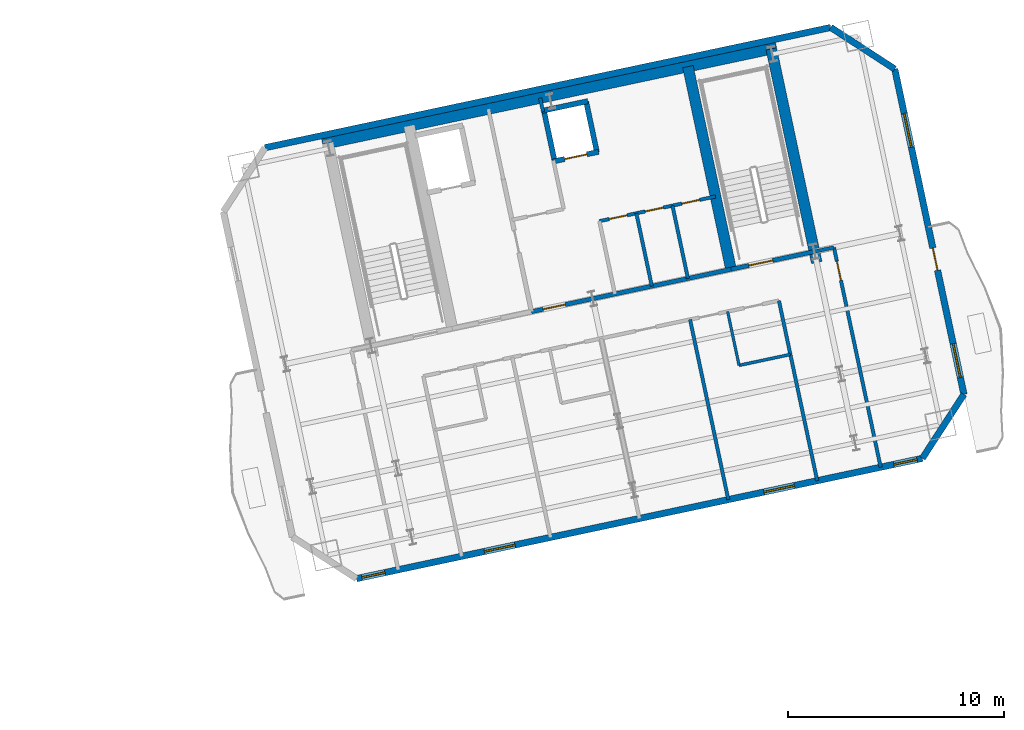
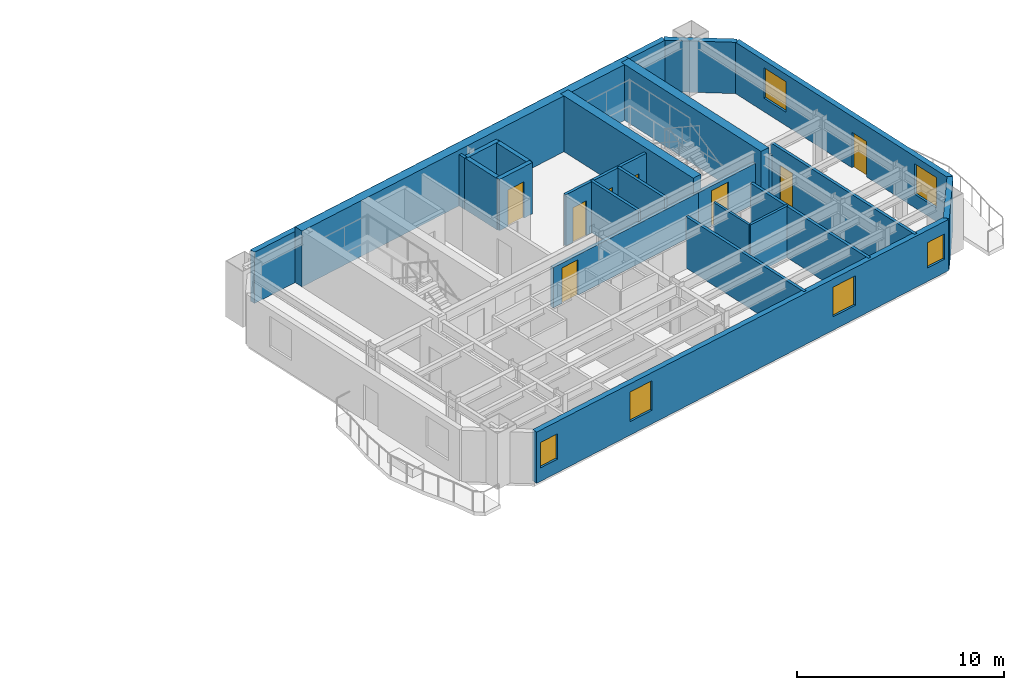
# One storey, part 8 of 13: 24 walls, 8 doors, 6 windows, 14 openings.
"""IFC4 building model written with IfcOpenShell, lengths in metres."""

from ifc_helpers import new_model, si_unit, direction, frame, frame_2d, origin, place, context, subcontext, project, spatial, rectangle, extrude, material, layer, layer_set, type_object, element, fill, save


model = new_model("IFC4")

# Units and contexts
model_context = context("Model", 3, precision=1e-05, world=origin(), true_north=direction((0.0, 1.0)))
body_context = subcontext(model_context, "Body", "Model", "MODEL_VIEW")
ifc_project = project(units=[si_unit("LENGTHUNIT", "METRE"), si_unit("AREAUNIT", "SQUARE_METRE"), si_unit("VOLUMEUNIT", "CUBIC_METRE"), si_unit("PLANEANGLEUNIT", "RADIAN"), si_unit("MASSUNIT", "GRAM", prefix="KILO")], contexts=[model_context])

# Site, building, storey
site_placement = place(None, origin())
site = spatial("IfcSite", under=ifc_project, at=site_placement, CompositionType="ELEMENT")
building_placement = place(site_placement, origin())
building = spatial("IfcBuilding", under=site, at=building_placement, Name="Haevon Station Towers", CompositionType="ELEMENT")
storey_placement = place(building_placement, frame((0.0, 0.0, 162.60009765625)))
storey = spatial("IfcBuildingStorey", under=building, at=storey_placement, Name="L44", CompositionType="ELEMENT", Elevation=162.60009765625)

# Wall, opening, door
ifc_material_1 = material(Name="Gypsum board on steel stud", Category="steel")
ifc_layer_1 = layer(ifc_material_1, 0.199951171875)
ifc_layer_set_1 = layer_set([ifc_layer_1], Name="Gypsum board on steel stud")
wall_type_1 = type_object("IfcWallType", Name="WL-COR200", PredefinedType="PARTITIONING", material=ifc_layer_set_1)
wall_1_placement = place(storey_placement, frame((115.4296875, 40.9873046875, 0.0), z_axis=(0.0, 0.0, 1.0), x_axis=(0.978146596989, 0.207916413008, 0.0)))
wall_1 = element("IfcWall", 1, at=wall_1_placement, inside=storey, type_object=wall_type_1, Name="WL-ST-ST4-L44", PredefinedType="PARTITIONING", context=body_context, shape_type="SweptSolid", body=[
    extrude(rectangle(XDim=3.9501953125, YDim=0.199951171875, at=frame_2d((1.97509765625, 0.0))), origin(), (0.0, 0.0, 1.0), 2.3798828125),
])
opening_1_placement = place(wall_1_placement, frame((0.85009765625, 0.0, 0.0)))
opening_1 = element("IfcOpeningElement", 2, at=opening_1_placement, cuts=wall_1, Name="Opening DR-ST-ST4-L44", PredefinedType="OPENING", context=body_context, shape_type="SweptSolid", body=[
    extrude(rectangle(XDim=1.1201171875, YDim=2.10009765625, at=frame_2d((0.56005859375, 1.050048828125))), frame((0.0, 0.10986328125, 0.0), z_axis=(0.0, -1.0, 0.0), x_axis=(1.0, 0.0, 0.0)), (0.0, 0.0, 1.0), 0.219970703125),
])
ifc_material_2 = material(Name="Engineered oak timber", Category="wood")
door_type_1 = type_object("IfcDoorType", Name="DR-ST-1120", OperationType="NOTDEFINED", PredefinedType="DOOR", material=ifc_material_2)
door_1_placement = place(opening_1_placement, origin())
door_1 = element("IfcDoor", 3, at=door_1_placement, inside=storey, type_object=door_type_1, Name="L44 Escape Stair ST4 Fire Door", OperationType="SINGLE_SWING_LEFT", OverallHeight=2.10009765625, OverallWidth=1.1201171875, PredefinedType="DOOR", context=body_context, shape_type="SweptSolid", body=[
    extrude(rectangle(XDim=1.1201171875, YDim=2.10009765625, at=frame_2d((0.56005859375, 1.050048828125))), frame((0.0, 0.02490234375, 0.0), z_axis=(0.0, -1.0, 0.0), x_axis=(1.0, 0.0, 0.0)), (0.0, 0.0, 1.0), 0.050048828125),
])
fill(opening_1, door_1)

wall_2_placement = place(storey_placement, frame((106.186279296875, 39.0224609375, 0.0), z_axis=(0.0, 0.0, 1.0), x_axis=(0.978145519981, 0.20792147975, 0.0)))
wall_2 = element("IfcWall", 4, at=wall_2_placement, inside=storey, type_object=wall_type_1, Name="WL-T2CLB-L44", PredefinedType="PARTITIONING", context=body_context, shape_type="SweptSolid", body=[
    extrude(rectangle(XDim=9.449951171875, YDim=0.199951171875, at=frame_2d((4.72509765625, 0.0))), origin(), (0.0, 0.0, 1.0), 2.3798828125),
])
opening_2_placement = place(wall_2_placement, frame((0.550048828125, 0.0, 0.0)))
opening_2 = element("IfcOpeningElement", 5, at=opening_2_placement, cuts=wall_2, Name="Opening DR-T2CLB-L44-1", PredefinedType="OPENING", context=body_context, shape_type="SweptSolid", body=[
    extrude(rectangle(XDim=1.050048828125, YDim=2.10009765625, at=frame_2d((0.52490234375, 1.050048828125))), frame((0.0, 0.10986328125, 0.0), z_axis=(0.0, -1.0, 0.0), x_axis=(1.0, 0.0, 0.0)), (0.0, 0.0, 1.0), 0.219970703125),
])
door_type_2 = type_object("IfcDoorType", Name="DR-FD60-1050", OperationType="NOTDEFINED", PredefinedType="DOOR", material=ifc_material_2)
door_2_placement = place(opening_2_placement, origin())
door_2 = element("IfcDoor", 6, at=door_2_placement, inside=storey, type_object=door_type_2, Name="L44 Tower 2 Core Lift Lobby Door 1", OperationType="SINGLE_SWING_RIGHT", OverallHeight=2.10009765625, OverallWidth=1.050048828125, PredefinedType="DOOR", context=body_context, shape_type="SweptSolid", body=[
    extrude(rectangle(XDim=1.050048828125, YDim=2.10009765625, at=frame_2d((0.52490234375, 1.050048828125))), frame((0.0, 0.02490234375, 0.0), z_axis=(0.0, -1.0, 0.0), x_axis=(1.0, 0.0, 0.0)), (0.0, 0.0, 1.0), 0.050048828125),
])
fill(opening_2, door_2)

# Walls
ifc_material_3 = material(Name="Concrete C60/75", Category="concrete")
ifc_layer_2 = layer(ifc_material_3, 0.5)
ifc_layer_set_2 = layer_set([ifc_layer_2], Name="Concrete C60/75")
wall_type_2 = type_object("IfcWallType", Name="WL-CR500", PredefinedType="SHEAR", material=ifc_layer_set_2)
wall_3_placement = place(storey_placement, frame((96.511962890625, 46.78076171875, 0.0), z_axis=(0.0, 0.0, 1.0), x_axis=(0.978148546782, 0.207907239961, 0.0)))
element("IfcWall", 7, at=wall_3_placement, inside=storey, type_object=wall_type_2, Name="WL-T2CR-L44-N", PredefinedType="SHEAR", context=body_context, shape_type="SweptSolid", body=[
    extrude(rectangle(XDim=21.499755859375, YDim=0.5, at=frame_2d((10.75, 0.0))), origin(), (0.0, 0.0, 1.0), 3.2998046875),
])
wall_4_placement = place(storey_placement, frame((119.401611328125, 41.2998046875, 0.0), z_axis=(0.0, 0.0, 1.0), x_axis=(-0.207904342798, 0.978149162575, 0.0)))
element("IfcWall", 8, at=wall_4_placement, inside=storey, type_object=wall_type_2, Name="WL-T2CR-L44-E", PredefinedType="SHEAR", context=body_context, shape_type="SweptSolid", body=[
    extrude(rectangle(XDim=10.1201171875, YDim=0.5, at=frame_2d((5.06005859375, 0.0))), origin(), (0.0, 0.0, 1.0), 3.2998046875),
])
wall_5_placement = place(storey_placement, frame((115.4296875, 40.9873046875, 0.0), z_axis=(0.0, 0.0, 1.0), x_axis=(-0.207903162969, 0.978149413345, 0.0)))
element("IfcWall", 9, at=wall_5_placement, inside=storey, type_object=wall_type_2, Name="WL-T2CR-L44-M2", PredefinedType="SHEAR", context=body_context, shape_type="SweptSolid", body=[
    extrude(rectangle(XDim=9.599853515625, YDim=0.5, at=frame_2d((4.7998046875, 0.0))), origin(), (0.0, 0.0, 1.0), 3.2998046875),
])

# Wall, openings, windows
ifc_material_4 = material(Name="Precast concrete C45/55", Category="concrete")
ifc_layer_3 = layer(ifc_material_4, 0.300048828125)
ifc_layer_set_3 = layer_set([ifc_layer_3], Name="Precast concrete C45/55")
wall_type_3 = type_object("IfcWallType", Name="WL-EXT-PIER300", PredefinedType="SOLIDWALL", material=ifc_layer_set_3)
wall_6_placement = place(storey_placement, frame((124.29443359375, 32.22900390625, 0.0), z_axis=(0.0, 0.0, 1.0), x_axis=(-0.978147690128, -0.20791127025, 0.0)))
wall_6 = element("IfcWall", 10, at=wall_6_placement, inside=storey, type_object=wall_type_3, Name="WL-T2-L44-S", PredefinedType="SOLIDWALL", context=body_context, shape_type="SweptSolid", body=[
    extrude(rectangle(XDim=26.800048828125, YDim=0.300048828125, at=frame_2d((13.39990234375, 0.0))), origin(), (0.0, 0.0, 1.0), 3.02978515625),
])
opening_3_placement = place(wall_6_placement, frame((25.449951171875, 0.0, 0.800048828125)))
opening_3 = element("IfcOpeningElement", 11, at=opening_3_placement, cuts=wall_6, Name="Opening WN-COR110", PredefinedType="OPENING", context=body_context, shape_type="SweptSolid", body=[
    extrude(rectangle(XDim=1.10009765625, YDim=1.5, at=frame_2d((0.550048828125, 0.75))), frame((0.0, 0.159912109375, 0.0), z_axis=(0.0, -1.0, 0.0), x_axis=(1.0, 0.0, 0.0)), (0.0, 0.0, 1.0), 0.320068359375),
])
opening_4_placement = place(wall_6_placement, frame((0.25, 0.0, 0.800048828125)))
opening_4 = element("IfcOpeningElement", 12, at=opening_4_placement, cuts=wall_6, Name="Opening WN-COR110", PredefinedType="OPENING", context=body_context, shape_type="SweptSolid", body=[
    extrude(rectangle(XDim=1.10009765625, YDim=1.5, at=frame_2d((0.550048828125, 0.75))), frame((0.0, 0.159912109375, 0.0), z_axis=(0.0, -1.0, 0.0), x_axis=(1.0, 0.0, 0.0)), (0.0, 0.0, 1.0), 0.320068359375),
])
opening_5_placement = place(wall_6_placement, frame((19.2900390625, 0.0, 0.800048828125)))
opening_5 = element("IfcOpeningElement", 13, at=opening_5_placement, cuts=wall_6, Name="Opening WN-P145", PredefinedType="OPENING", context=body_context, shape_type="SweptSolid", body=[
    extrude(rectangle(XDim=1.449951171875, YDim=1.75, at=frame_2d((0.72509765625, 0.875))), frame((0.0, 0.159912109375, 0.0), z_axis=(0.0, -1.0, 0.0), x_axis=(1.0, 0.0, 0.0)), (0.0, 0.0, 1.0), 0.320068359375),
])
opening_6_placement = place(wall_6_placement, frame((6.06005859375, 0.0, 0.800048828125)))
opening_6 = element("IfcOpeningElement", 14, at=opening_6_placement, cuts=wall_6, Name="Opening WN-P145", PredefinedType="OPENING", context=body_context, shape_type="SweptSolid", body=[
    extrude(rectangle(XDim=1.449951171875, YDim=1.75, at=frame_2d((0.72509765625, 0.875))), frame((0.0, 0.159912109375, 0.0), z_axis=(0.0, -1.0, 0.0), x_axis=(1.0, 0.0, 0.0)), (0.0, 0.0, 1.0), 0.320068359375),
])
ifc_material_5 = material(Name="Low-E triple glazing in thermally broken aluminium", Category="aluminium")
window_type_1 = type_object("IfcWindowType", Name="WN-COR110", PartitioningType="SINGLE_PANEL", PredefinedType="WINDOW", material=ifc_material_5)
window_1_placement = place(opening_3_placement, origin())
window_1 = element("IfcWindow", 15, at=window_1_placement, inside=storey, type_object=window_type_1, Name="WN-T2-L44-S01", OverallHeight=1.5, OverallWidth=1.10009765625, PartitioningType="SINGLE_PANEL", PredefinedType="WINDOW", context=body_context, shape_type="SweptSolid", body=[
    extrude(rectangle(XDim=1.10009765625, YDim=1.5, at=frame_2d((0.550048828125, 0.75))), frame((0.0, 0.030029296875, 0.0), z_axis=(0.0, -1.0, 0.0), x_axis=(1.0, 0.0, 0.0)), (0.0, 0.0, 1.0), 0.06005859375),
])
fill(opening_3, window_1)
window_2_placement = place(opening_4_placement, origin())
window_2 = element("IfcWindow", 16, at=window_2_placement, inside=storey, type_object=window_type_1, Name="WN-T2-L44-S02", OverallHeight=1.5, OverallWidth=1.10009765625, PartitioningType="SINGLE_PANEL", PredefinedType="WINDOW", context=body_context, shape_type="SweptSolid", body=[
    extrude(rectangle(XDim=1.10009765625, YDim=1.5, at=frame_2d((0.550048828125, 0.75))), frame((0.0, 0.030029296875, 0.0), z_axis=(0.0, -1.0, 0.0), x_axis=(1.0, 0.0, 0.0)), (0.0, 0.0, 1.0), 0.06005859375),
])
fill(opening_4, window_2)
window_type_2 = type_object("IfcWindowType", Name="WN-P145", PartitioningType="SINGLE_PANEL", PredefinedType="WINDOW", material=ifc_material_5)
window_3_placement = place(opening_5_placement, origin())
window_3 = element("IfcWindow", 17, at=window_3_placement, inside=storey, type_object=window_type_2, Name="WN-T2-L44-S03", OverallHeight=1.75, OverallWidth=1.449951171875, PartitioningType="SINGLE_PANEL", PredefinedType="WINDOW", context=body_context, shape_type="SweptSolid", body=[
    extrude(rectangle(XDim=1.449951171875, YDim=1.75, at=frame_2d((0.72509765625, 0.875))), frame((0.0, 0.030029296875, 0.0), z_axis=(0.0, -1.0, 0.0), x_axis=(1.0, 0.0, 0.0)), (0.0, 0.0, 1.0), 0.06005859375),
])
fill(opening_5, window_3)
window_4_placement = place(opening_6_placement, origin())
window_4 = element("IfcWindow", 18, at=window_4_placement, inside=storey, type_object=window_type_2, Name="WN-T2-L44-S04", OverallHeight=1.75, OverallWidth=1.449951171875, PartitioningType="SINGLE_PANEL", PredefinedType="WINDOW", context=body_context, shape_type="SweptSolid", body=[
    extrude(rectangle(XDim=1.449951171875, YDim=1.75, at=frame_2d((0.72509765625, 0.875))), frame((0.0, 0.030029296875, 0.0), z_axis=(0.0, -1.0, 0.0), x_axis=(1.0, 0.0, 0.0)), (0.0, 0.0, 1.0), 0.06005859375),
])
fill(opening_6, window_4)

# Walls
wall_7_placement = place(storey_placement, frame((93.836669921875, 46.620849609375, 0.0), z_axis=(0.0, 0.0, 1.0), x_axis=(0.978147690128, 0.20791127025, 0.0)))
element("IfcWall", 19, at=wall_7_placement, inside=storey, type_object=wall_type_3, Name="WL-T2-L44-N", PredefinedType="SOLIDWALL", context=body_context, shape_type="SweptSolid", body=[
    extrude(rectangle(XDim=26.800048828125, YDim=0.300048828125, at=frame_2d((13.39990234375, 0.0))), origin(), (0.0, 0.0, 1.0), 3.02978515625),
])
wall_8_placement = place(storey_placement, frame((120.051025390625, 52.19287109375, 0.0), z_axis=(0.0, 0.0, 1.0), x_axis=(0.838672309694, -0.544636352948, 0.0)))
element("IfcWall", 20, at=wall_8_placement, inside=storey, type_object=wall_type_3, Name="WL-T2-L44-NEC", PredefinedType="SOLIDWALL", context=body_context, shape_type="SweptSolid", body=[
    extrude(rectangle(XDim=3.535400390625, YDim=0.300048828125, at=frame_2d((1.767578125, 0.0))), origin(), (0.0, 0.0, 1.0), 3.02978515625),
])

# Wall, openings, door, windows
wall_9_placement = place(storey_placement, frame((123.01611328125, 50.267333984375, 0.0), z_axis=(0.0, 0.0, 1.0), x_axis=(0.207908020757, -0.978148380822, 0.0)))
wall_9 = element("IfcWall", 21, at=wall_9_placement, inside=storey, type_object=wall_type_3, Name="WL-T2-L44-E", PredefinedType="SOLIDWALL", context=body_context, shape_type="SweptSolid", body=[
    extrude(rectangle(XDim=15.409912109375, YDim=0.300048828125, at=frame_2d((7.705078125, 0.0))), origin(), (0.0, 0.0, 1.0), 3.02978515625),
])
opening_7_placement = place(wall_9_placement, frame((8.47998046875, 0.0, 0.0)))
opening_7 = element("IfcOpeningElement", 22, at=opening_7_placement, cuts=wall_9, Name="Opening DR-T2-SCAL-L44-E", PredefinedType="OPENING", context=body_context, shape_type="SweptSolid", body=[
    extrude(rectangle(XDim=1.050048828125, YDim=2.10009765625, at=frame_2d((0.52490234375, 1.050048828125))), frame((0.0, 0.159912109375, 0.0), z_axis=(0.0, -1.0, 0.0), x_axis=(1.0, 0.0, 0.0)), (0.0, 0.0, 1.0), 0.320068359375),
])
opening_8_placement = place(wall_9_placement, frame((2.108154296875, 0.0, 0.800048828125)))
opening_8 = element("IfcOpeningElement", 23, at=opening_8_placement, cuts=wall_9, Name="Opening WN-END160", PredefinedType="OPENING", context=body_context, shape_type="SweptSolid", body=[
    extrude(rectangle(XDim=1.60009765625, YDim=1.800048828125, at=frame_2d((0.800048828125, 0.89990234375))), frame((0.0, 0.159912109375, 0.0), z_axis=(0.0, -1.0, 0.0), x_axis=(1.0, 0.0, 0.0)), (0.0, 0.0, 1.0), 0.320068359375),
])
opening_9_placement = place(wall_9_placement, frame((13.010009765625, 0.0, 0.800048828125)))
opening_9 = element("IfcOpeningElement", 24, at=opening_9_placement, cuts=wall_9, Name="Opening WN-END160", PredefinedType="OPENING", context=body_context, shape_type="SweptSolid", body=[
    extrude(rectangle(XDim=1.60009765625, YDim=1.800048828125, at=frame_2d((0.800048828125, 0.89990234375))), frame((0.0, 0.159912109375, 0.0), z_axis=(0.0, -1.0, 0.0), x_axis=(1.0, 0.0, 0.0)), (0.0, 0.0, 1.0), 0.320068359375),
])
ifc_material_6 = material(Name="Thermally broken anodised aluminium and laminated safety glass", Category="aluminium")
door_type_3 = type_object("IfcDoorType", Name="DR-BALC-1050", OperationType="NOTDEFINED", PredefinedType="DOOR", material=ifc_material_6)
door_3_placement = place(opening_7_placement, origin())
door_3 = element("IfcDoor", 25, at=door_3_placement, inside=storey, type_object=door_type_3, Name="Tower 2 L44 East Scalloped Balcony Door", OperationType="SINGLE_SWING_RIGHT", OverallHeight=2.10009765625, OverallWidth=1.050048828125, PredefinedType="DOOR", context=body_context, shape_type="SweptSolid", body=[
    extrude(rectangle(XDim=1.050048828125, YDim=2.10009765625, at=frame_2d((0.52490234375, 1.050048828125))), frame((0.0, 0.02490234375, 0.0), z_axis=(0.0, -1.0, 0.0), x_axis=(1.0, 0.0, 0.0)), (0.0, 0.0, 1.0), 0.050048828125),
])
fill(opening_7, door_3)
window_type_3 = type_object("IfcWindowType", Name="WN-END160", PartitioningType="SINGLE_PANEL", PredefinedType="WINDOW", material=ifc_material_5)
window_5_placement = place(opening_8_placement, origin())
window_5 = element("IfcWindow", 26, at=window_5_placement, inside=storey, type_object=window_type_3, Name="WN-T2-L44-E01", OverallHeight=1.800048828125, OverallWidth=1.60009765625, PartitioningType="SINGLE_PANEL", PredefinedType="WINDOW", context=body_context, shape_type="SweptSolid", body=[
    extrude(rectangle(XDim=1.60009765625, YDim=1.800048828125, at=frame_2d((0.800048828125, 0.89990234375))), frame((0.0, 0.030029296875, 0.0), z_axis=(0.0, -1.0, 0.0), x_axis=(1.0, 0.0, 0.0)), (0.0, 0.0, 1.0), 0.06005859375),
])
fill(opening_8, window_5)
window_6_placement = place(opening_9_placement, origin())
window_6 = element("IfcWindow", 27, at=window_6_placement, inside=storey, type_object=window_type_3, Name="WN-T2-L44-E02", OverallHeight=1.800048828125, OverallWidth=1.60009765625, PartitioningType="SINGLE_PANEL", PredefinedType="WINDOW", context=body_context, shape_type="SweptSolid", body=[
    extrude(rectangle(XDim=1.60009765625, YDim=1.800048828125, at=frame_2d((0.800048828125, 0.89990234375))), frame((0.0, 0.030029296875, 0.0), z_axis=(0.0, -1.0, 0.0), x_axis=(1.0, 0.0, 0.0)), (0.0, 0.0, 1.0), 0.06005859375),
])
fill(opening_9, window_6)

# Walls
wall_10_placement = place(storey_placement, frame((126.219970703125, 35.194091796875, 0.0), z_axis=(0.0, 0.0, 1.0), x_axis=(-0.544636352948, -0.838672309694, 0.0)))
element("IfcWall", 28, at=wall_10_placement, inside=storey, type_object=wall_type_3, Name="WL-T2-L44-SEC", PredefinedType="SOLIDWALL", context=body_context, shape_type="SweptSolid", body=[
    extrude(rectangle(XDim=3.535400390625, YDim=0.300048828125, at=frame_2d((1.767578125, 0.0))), origin(), (0.0, 0.0, 1.0), 3.02978515625),
])
ifc_layer_4 = layer(ifc_material_1, 0.125)
ifc_layer_set_4 = layer_set([ifc_layer_4], Name="Gypsum board on steel stud")
wall_type_4 = type_object("IfcWallType", Name="WL-PRT125", PredefinedType="PARTITIONING", material=ifc_layer_set_4)
wall_11_placement = place(storey_placement, frame((115.802978515625, 36.53759765625, 0.0), z_axis=(0.0, 0.0, 1.0), x_axis=(-0.207848450565, 0.978161040728, 0.0)))
element("IfcWall", 29, at=wall_11_placement, inside=storey, type_object=wall_type_4, Name="WL-T2PT-L44-15", PredefinedType="PARTITIONING", context=body_context, shape_type="SweptSolid", body=[
    extrude(rectangle(XDim=2.550048828125, YDim=0.125, at=frame_2d((1.27490234375, 0.0))), origin(), (0.0, 0.0, 1.0), 3.02978515625),
])
ifc_layer_5 = layer(ifc_material_1, 0.139892578125)
ifc_layer_set_5 = layer_set([ifc_layer_5], Name="Gypsum board on steel stud")
wall_type_5 = type_object("IfcWallType", Name="WL-PRT140", PredefinedType="PARTITIONING", material=ifc_layer_set_5)
wall_12_placement = place(storey_placement, frame((115.802978515625, 36.53759765625, 0.0), z_axis=(0.0, 0.0, 1.0), x_axis=(0.978136375918, 0.207964492415, 0.0)))
element("IfcWall", 30, at=wall_12_placement, inside=storey, type_object=wall_type_5, Name="WL-T2PT-L44-14", PredefinedType="PARTITIONING", context=body_context, shape_type="SweptSolid", body=[
    extrude(rectangle(XDim=2.43017578125, YDim=0.139892578125, at=frame_2d((1.215087890625, 0.0))), origin(), (0.0, 0.0, 1.0), 3.02978515625),
])
ifc_layer_6 = layer(ifc_material_1, 0.159912109375)
ifc_layer_set_6 = layer_set([ifc_layer_6], Name="Gypsum board on steel stud")
wall_type_6 = type_object("IfcWallType", Name="WL-PRT160", PredefinedType="PARTITIONING", material=ifc_layer_set_6)
wall_13_placement = place(storey_placement, frame((106.721923828125, 48.286376953125, 0.0), z_axis=(0.0, 0.0, 1.0), x_axis=(-0.208092352933, 0.978109182377, 0.0)))
element("IfcWall", 31, at=wall_13_placement, inside=storey, type_object=wall_type_6, Name="WL-T2CW-L44-04", PredefinedType="PARTITIONING", context=body_context, shape_type="SweptSolid", body=[
    extrude(rectangle(XDim=0.64990234375, YDim=0.159912109375, at=frame_2d((0.324951171875, 0.0))), origin(), (0.0, 0.0, 1.0), 3.02978515625),
])
wall_14_placement = place(storey_placement, frame((111.76171875, 40.20751953125, 0.0), z_axis=(0.0, 0.0, 1.0), x_axis=(-0.207900225061, 0.978150037785, 0.0)))
element("IfcWall", 32, at=wall_14_placement, inside=storey, type_object=wall_type_6, Name="WL-T2CW-L44-06", PredefinedType="PARTITIONING", context=body_context, shape_type="SweptSolid", body=[
    extrude(rectangle(XDim=3.4501953125, YDim=0.159912109375, at=frame_2d((1.72509765625, 0.0))), origin(), (0.0, 0.0, 1.0), 3.02978515625),
])
wall_15_placement = place(storey_placement, frame((113.434326171875, 40.563232421875, 0.0), z_axis=(0.0, 0.0, 1.0), x_axis=(-0.207914616127, 0.978146978935, 0.0)))
element("IfcWall", 33, at=wall_15_placement, inside=storey, type_object=wall_type_6, Name="WL-T2CW-L44-07", PredefinedType="PARTITIONING", context=body_context, shape_type="SweptSolid", body=[
    extrude(rectangle(XDim=3.449951171875, YDim=0.159912109375, at=frame_2d((1.72509765625, 0.0))), origin(), (0.0, 0.0, 1.0), 3.02978515625),
])

# Wall, openings, doors
wall_16_placement = place(storey_placement, frame((109.332763671875, 43.218505859375, 0.0), z_axis=(0.0, 0.0, 1.0), x_axis=(0.978153773776, 0.207882646816, 0.0)))
wall_16 = element("IfcWall", 34, at=wall_16_placement, inside=storey, type_object=wall_type_6, Name="WL-T2CW-L44-08", PredefinedType="PARTITIONING", context=body_context, shape_type="SweptSolid", body=[
    extrude(rectangle(XDim=5.499755859375, YDim=0.159912109375, at=frame_2d((2.75, 0.0))), origin(), (0.0, 0.0, 1.0), 3.02978515625),
])
opening_10_placement = place(wall_16_placement, frame((0.469970703125, 0.0, 0.0)))
opening_10 = element("IfcOpeningElement", 35, at=opening_10_placement, cuts=wall_16, Name="Opening DR-WL-T2CW-L44-08-1", PredefinedType="OPENING", context=body_context, shape_type="SweptSolid", body=[
    extrude(rectangle(XDim=0.85009765625, YDim=2.050048828125, at=frame_2d((0.425048828125, 1.02490234375))), frame((0.0, 0.08984375, 0.0), z_axis=(0.0, -1.0, 0.0), x_axis=(1.0, 0.0, 0.0)), (0.0, 0.0, 1.0), 0.179931640625),
])
opening_11_placement = place(wall_16_placement, frame((2.179931640625, 0.0, 0.0)))
opening_11 = element("IfcOpeningElement", 36, at=opening_11_placement, cuts=wall_16, Name="Opening DR-WL-T2CW-L44-08-2", PredefinedType="OPENING", context=body_context, shape_type="SweptSolid", body=[
    extrude(rectangle(XDim=0.85009765625, YDim=2.050048828125, at=frame_2d((0.425048828125, 1.02490234375))), frame((0.0, 0.08984375, 0.0), z_axis=(0.0, -1.0, 0.0), x_axis=(1.0, 0.0, 0.0)), (0.0, 0.0, 1.0), 0.179931640625),
])
opening_12_placement = place(wall_16_placement, frame((3.89501953125, 0.0, 0.0)))
opening_12 = element("IfcOpeningElement", 37, at=opening_12_placement, cuts=wall_16, Name="Opening DR-WL-T2CW-L44-08-3", PredefinedType="OPENING", context=body_context, shape_type="SweptSolid", body=[
    extrude(rectangle(XDim=0.85009765625, YDim=2.050048828125, at=frame_2d((0.425048828125, 1.02490234375))), frame((0.0, 0.08984375, 0.0), z_axis=(0.0, -1.0, 0.0), x_axis=(1.0, 0.0, 0.0)), (0.0, 0.0, 1.0), 0.179931640625),
])
door_type_4 = type_object("IfcDoorType", Name="DR-FD30-850", OperationType="NOTDEFINED", PredefinedType="DOOR", material=ifc_material_2)
door_4_placement = place(opening_10_placement, origin())
door_4 = element("IfcDoor", 38, at=door_4_placement, inside=storey, type_object=door_type_4, Name="L44 Tower 2 Core Room Door 8-1", OperationType="SINGLE_SWING_LEFT", OverallHeight=2.050048828125, OverallWidth=0.85009765625, PredefinedType="DOOR", context=body_context, shape_type="SweptSolid", body=[
    extrude(rectangle(XDim=0.85009765625, YDim=2.050048828125, at=frame_2d((0.425048828125, 1.02490234375))), frame((0.0, 0.02490234375, 0.0), z_axis=(0.0, -1.0, 0.0), x_axis=(1.0, 0.0, 0.0)), (0.0, 0.0, 1.0), 0.050048828125),
])
fill(opening_10, door_4)
door_5_placement = place(opening_11_placement, origin())
door_5 = element("IfcDoor", 39, at=door_5_placement, inside=storey, type_object=door_type_4, Name="L44 Tower 2 Core Room Door 8-2", OperationType="SINGLE_SWING_RIGHT", OverallHeight=2.050048828125, OverallWidth=0.85009765625, PredefinedType="DOOR", context=body_context, shape_type="SweptSolid", body=[
    extrude(rectangle(XDim=0.85009765625, YDim=2.050048828125, at=frame_2d((0.425048828125, 1.02490234375))), frame((0.0, 0.02490234375, 0.0), z_axis=(0.0, -1.0, 0.0), x_axis=(1.0, 0.0, 0.0)), (0.0, 0.0, 1.0), 0.050048828125),
])
fill(opening_11, door_5)
door_6_placement = place(opening_12_placement, origin())
door_6 = element("IfcDoor", 40, at=door_6_placement, inside=storey, type_object=door_type_4, Name="L44 Tower 2 Core Room Door 8-3", OperationType="SINGLE_SWING_LEFT", OverallHeight=2.050048828125, OverallWidth=0.85009765625, PredefinedType="DOOR", context=body_context, shape_type="SweptSolid", body=[
    extrude(rectangle(XDim=0.85009765625, YDim=2.050048828125, at=frame_2d((0.425048828125, 1.02490234375))), frame((0.0, 0.02490234375, 0.0), z_axis=(0.0, -1.0, 0.0), x_axis=(1.0, 0.0, 0.0)), (0.0, 0.0, 1.0), 0.050048828125),
])
fill(opening_12, door_6)

# Walls
wall_17_placement = place(storey_placement, frame((119.42333984375, 31.193603515625, 0.0), z_axis=(0.0, 0.0, 1.0), x_axis=(-0.207935775423, 0.978142481083, 0.0)))
element("IfcWall", 41, at=wall_17_placement, inside=storey, type_object=wall_type_6, Name="WL-T2PT-L44-02", PredefinedType="PARTITIONING", context=body_context, shape_type="SweptSolid", body=[
    extrude(rectangle(XDim=8.530029296875, YDim=0.159912109375, at=frame_2d((4.26513671875, 0.0))), origin(), (0.0, 0.0, 1.0), 3.02978515625),
])
wall_18_placement = place(storey_placement, frame((119.29345703125, 41.80859375, 0.0), z_axis=(0.0, 0.0, 1.0), x_axis=(0.978133353907, 0.20797870558, 0.0)))
element("IfcWall", 42, at=wall_18_placement, inside=storey, type_object=wall_type_6, Name="WL-T2PT-L44-04", PredefinedType="PARTITIONING", context=body_context, shape_type="SweptSolid", body=[
    extrude(rectangle(XDim=0.925048828125, YDim=0.159912109375, at=frame_2d((0.46240234375, 0.0))), origin(), (0.0, 0.0, 1.0), 2.3798828125),
])

# Wall, opening, door
wall_19_placement = place(storey_placement, frame((122.362548828125, 31.818359375, 0.0), z_axis=(0.0, 0.0, 1.0), x_axis=(-0.207904755642, 0.978149074825, 0.0)))
wall_19 = element("IfcWall", 43, at=wall_19_placement, inside=storey, type_object=wall_type_6, Name="WL-T2PT-L44-06", PredefinedType="PARTITIONING", context=body_context, shape_type="SweptSolid", body=[
    extrude(rectangle(XDim=10.41015625, YDim=0.159912109375, at=frame_2d((5.205078125, 0.0))), origin(), (0.0, 0.0, 1.0), 3.02978515625),
])
opening_13_placement = place(wall_19_placement, frame((8.85009765625, 0.0, 0.0)))
opening_13 = element("IfcOpeningElement", 44, at=opening_13_placement, cuts=wall_19, Name="Opening DR-WL-T2PT-L44-06-01", PredefinedType="OPENING", context=body_context, shape_type="SweptSolid", body=[
    extrude(rectangle(XDim=0.89990234375, YDim=2.050048828125, at=frame_2d((0.449951171875, 1.02490234375))), frame((0.0, 0.08984375, 0.0), z_axis=(0.0, -1.0, 0.0), x_axis=(1.0, 0.0, 0.0)), (0.0, 0.0, 1.0), 0.179931640625),
])
door_type_5 = type_object("IfcDoorType", Name="DR-INT-900", OperationType="NOTDEFINED", PredefinedType="DOOR", material=ifc_material_2)
door_7_placement = place(opening_13_placement, origin())
door_7 = element("IfcDoor", 45, at=door_7_placement, inside=storey, type_object=door_type_5, Name="L44 Tower 2 Room Door 6-1", OperationType="SINGLE_SWING_LEFT", OverallHeight=2.050048828125, OverallWidth=0.89990234375, PredefinedType="DOOR", context=body_context, shape_type="SweptSolid", body=[
    extrude(rectangle(XDim=0.89990234375, YDim=2.050048828125, at=frame_2d((0.449951171875, 1.02490234375))), frame((0.0, 0.02490234375, 0.0), z_axis=(0.0, -1.0, 0.0), x_axis=(1.0, 0.0, 0.0)), (0.0, 0.0, 1.0), 0.050048828125),
])
fill(opening_13, door_7)

# Wall
wall_20_placement = place(storey_placement, frame((115.30517578125, 30.318359375, 0.0), z_axis=(0.0, 0.0, 1.0), x_axis=(-0.207908391118, 0.978148302101, 0.0)))
element("IfcWall", 46, at=wall_20_placement, inside=storey, type_object=wall_type_6, Name="WL-T2PT-L44-13", PredefinedType="PARTITIONING", context=body_context, shape_type="SweptSolid", body=[
    extrude(rectangle(XDim=8.52978515625, YDim=0.159912109375, at=frame_2d((4.264892578125, 0.0))), origin(), (0.0, 0.0, 1.0), 3.02978515625),
])

# Wall, opening, door
ifc_material_7 = material(Name="Concrete C40/50", Category="concrete")
ifc_layer_7 = layer(ifc_material_7, 0.239990234375)
ifc_layer_set_7 = layer_set([ifc_layer_7], Name="Concrete C40/50")
wall_type_7 = type_object("IfcWallType", Name="WL-SHF240", PredefinedType="PARTITIONING", material=ifc_layer_set_7)
wall_21_placement = place(storey_placement, frame((107.18115234375, 45.9814453125, 0.0), z_axis=(0.0, 0.0, 1.0), x_axis=(0.97813528961, 0.207969601673, 0.0)))
wall_21 = element("IfcWall", 47, at=wall_21_placement, inside=storey, type_object=wall_type_7, Name="WL-SHF-PL8-L44", PredefinedType="PARTITIONING", context=body_context, shape_type="SweptSolid", body=[
    extrude(rectangle(XDim=2.159912109375, YDim=0.239990234375, at=frame_2d((1.080078125, 0.0))), origin(), (0.0, 0.0, 1.0), 3.02978515625),
])
opening_14_placement = place(wall_21_placement, frame((0.554931640625, 0.0, 0.0)))
opening_14 = element("IfcOpeningElement", 48, at=opening_14_placement, cuts=wall_21, Name="Opening LD-PL8-L44", PredefinedType="OPENING", context=body_context, shape_type="SweptSolid", body=[
    extrude(rectangle(XDim=1.050048828125, YDim=2.14990234375, at=frame_2d((0.52490234375, 1.074951171875))), frame((0.0, 0.1298828125, 0.0), z_axis=(0.0, -1.0, 0.0), x_axis=(1.0, 0.0, 0.0)), (0.0, 0.0, 1.0), 0.260009765625),
])
ifc_material_8 = material(Name="Stainless steel and rated core", Category="steel")
door_type_6 = type_object("IfcDoorType", Name="LD-PL1050", OperationType="SLIDING_TO_LEFT", PredefinedType="DOOR", material=ifc_material_8)
door_8_placement = place(opening_14_placement, origin())
door_8 = element("IfcDoor", 49, at=door_8_placement, inside=storey, type_object=door_type_6, Name="L44 Lift PL8 Sliding Landing Door", OperationType="SLIDING_TO_LEFT", OverallHeight=2.14990234375, OverallWidth=1.050048828125, PredefinedType="DOOR", context=body_context, shape_type="SweptSolid", body=[
    extrude(rectangle(XDim=1.050048828125, YDim=2.14990234375, at=frame_2d((0.52490234375, 1.074951171875))), frame((0.0, 0.02490234375, 0.0), z_axis=(0.0, -1.0, 0.0), x_axis=(1.0, 0.0, 0.0)), (0.0, 0.0, 1.0), 0.050048828125),
])
fill(opening_14, door_8)

# Walls
wall_22_placement = place(storey_placement, frame((106.68212890625, 48.3291015625, 0.0), z_axis=(0.0, 0.0, 1.0), x_axis=(0.978158276388, 0.207861459473, 0.0)))
element("IfcWall", 50, at=wall_22_placement, inside=storey, type_object=wall_type_7, Name="WL-SHF-PL8-L44-N", PredefinedType="PARTITIONING", context=body_context, shape_type="SweptSolid", body=[
    extrude(rectangle(XDim=2.159912109375, YDim=0.239990234375, at=frame_2d((1.080078125, 0.0))), origin(), (0.0, 0.0, 1.0), 3.02978515625),
])
for number, where, z_axis, x_axis, name in (
    (51, (107.259521484375, 45.998046875, 0.0), (0.0, 0.0, 1.0), (-0.207917150959, 0.978146440129, 0.0), "WL-SHF-PL8-L44-W"),
    (52, (109.2158203125, 46.413818359375, 0.0), (0.0, 0.0, 1.0), (-0.207917150959, 0.978146440129, 0.0), "WL-SHF-PL8-L44-E"),
):
    element("IfcWall", number, at=place(storey_placement, frame(where, z_axis=z_axis, x_axis=x_axis)), inside=storey, type_object=wall_type_7, Name=name, PredefinedType="PARTITIONING", context=body_context, shape_type="SweptSolid", body=[
        extrude(rectangle(XDim=2.400146484375, YDim=0.239990234375, at=frame_2d((1.2001953125, 0.0))), origin(), (0.0, 0.0, 1.0), 3.02978515625),
    ])

save(model, "model.ifc")
